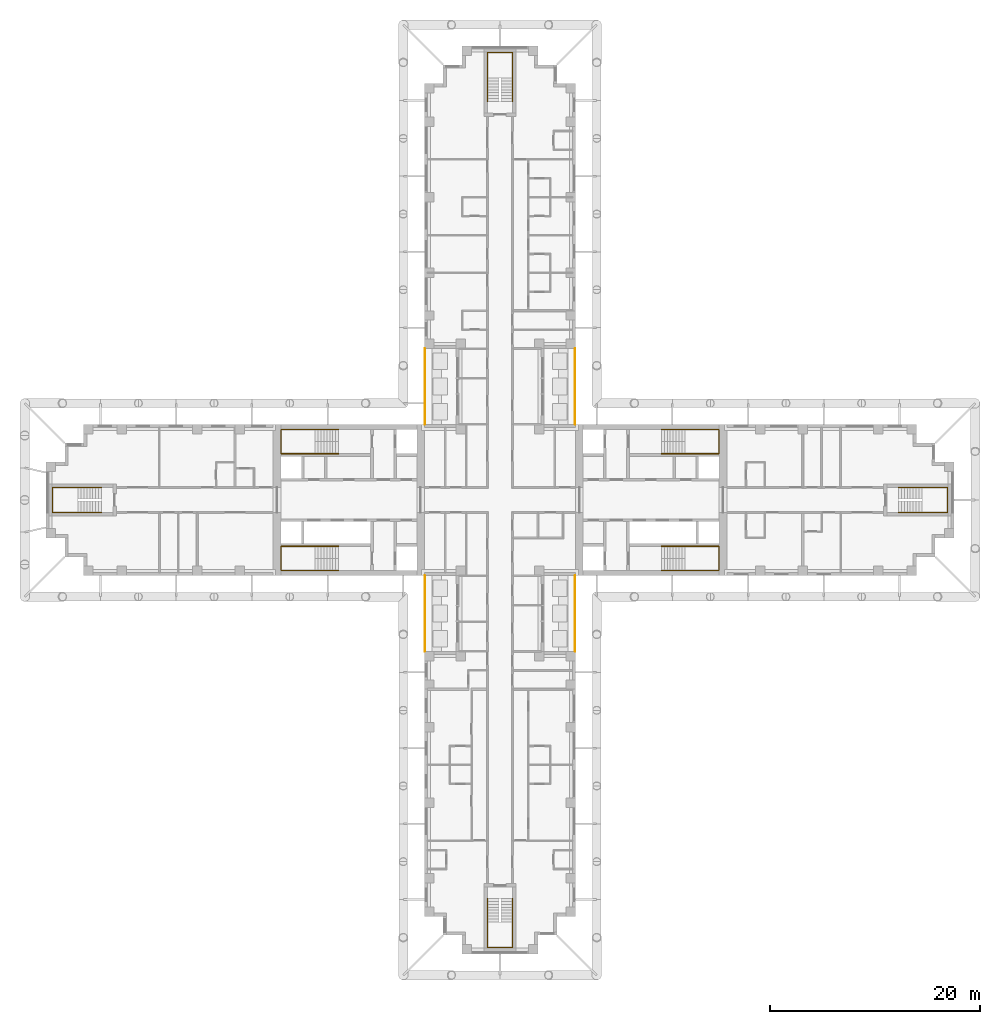
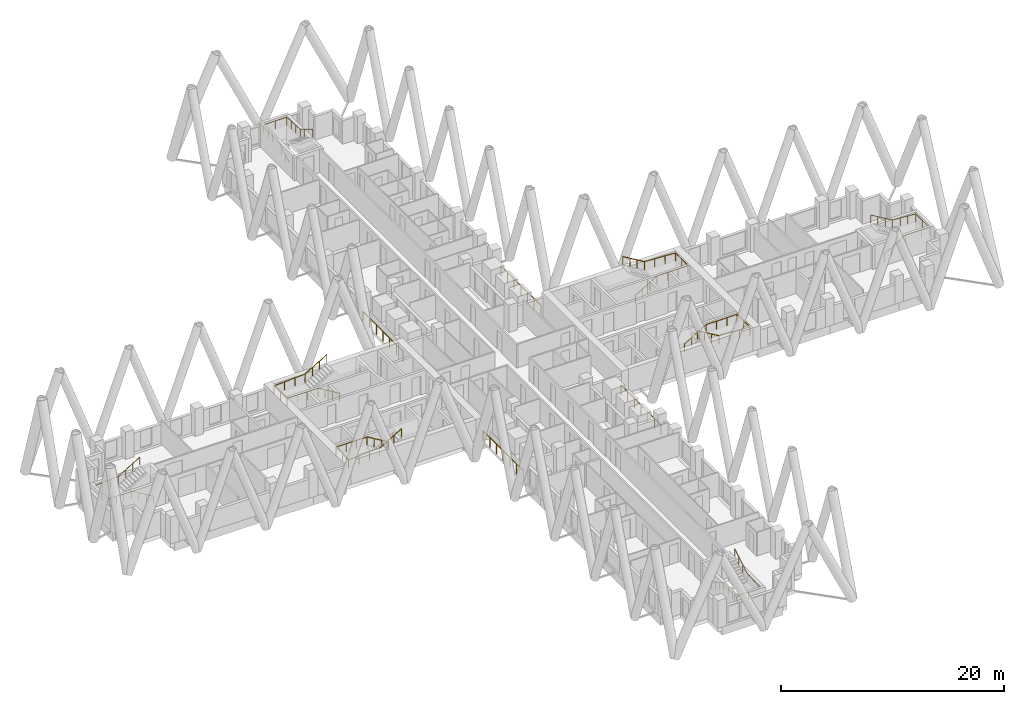
# One storey, part 16 of 17: 12 railings.
"""IFC4 building model written with IfcOpenShell, lengths in metres."""

import ifcopenshell
import ifcopenshell.guid

model = None  # the IFC model being written
_history = None  # IfcOwnerHistory: only IFC2X3 demands one
_inside = {}  # id of a spatial element -> (the spatial element, [elements in it])
_under = {}  # id of a project, library or spatial element -> (it, [spatial elements below it])
_declared = {}  # id of a project -> (the project, [libraries it declares])
_typed = {}  # id of a type object -> (the type object, [elements of that type])
_made_of = {}  # id of a material, layer set ... -> (it, [elements and type objects made of it])


def new_model(schema):
    """Start an empty IFC model of exactly this schema.

    Asked for "IFC4X3", IfcOpenShell would pick the latest addendum, in which some entities
    have other attributes; the version numbers below select the first issue.
    IFC2X3 requires an IfcOwnerHistory on every rooted entity: one is made here for all.
    """
    global model, _history
    if schema == "IFC4X3":
        model = ifcopenshell.file(schema_version=(4, 3, 0, 0))
    else:
        model = ifcopenshell.file(schema=schema)
    _inside.clear()
    _under.clear()
    _declared.clear()
    _typed.clear()
    _made_of.clear()
    _history = None
    if model.schema == "IFC2X3":
        org = make("IfcOrganization", Name="unknown")
        user = make(
            "IfcPersonAndOrganization",
            ThePerson=make("IfcPerson", FamilyName="unknown"),
            TheOrganization=org,
        )
        app = make(
            "IfcApplication",
            ApplicationDeveloper=org,
            Version="unknown",
            ApplicationFullName="unknown",
            ApplicationIdentifier="unknown",
        )
        _history = make(
            "IfcOwnerHistory",
            OwningUser=user,
            OwningApplication=app,
            ChangeAction="ADDED",
            CreationDate=0,
        )
    return model


def make(cls, **values):
    """One entity of the class cls with the attributes given. An attribute that is None is left unset."""
    return model.create_entity(
        cls, **{name: value for name, value in values.items() if value is not None}
    )


def rooted(cls, **values):
    """An entity with a GlobalId (a new one), such as an element, a storey or a relation."""
    return make(cls, GlobalId=ifcopenshell.guid.new(), OwnerHistory=_history, **values)


def si_unit(unit_type, name, prefix=None):
    """IfcSIUnit, for example si_unit("LENGTHUNIT", "METRE", prefix="MILLI")."""
    return make("IfcSIUnit", UnitType=unit_type, Prefix=prefix, Name=name)


def assignment(units):
    """IfcUnitAssignment: the units of a project."""
    return None if units is None else make("IfcUnitAssignment", Units=units)


def point(xyz):
    """IfcCartesianPoint."""
    return None if xyz is None else make("IfcCartesianPoint", Coordinates=xyz)


def direction(xyz):
    """IfcDirection."""
    return None if xyz is None else make("IfcDirection", DirectionRatios=xyz)


def frame(location, z_axis=None, x_axis=None):
    """IfcAxis2Placement3D, a coordinate frame: its origin and axes. An axis left out is left unset."""
    return make(
        "IfcAxis2Placement3D",
        Location=point(location),
        Axis=direction(z_axis),
        RefDirection=direction(x_axis),
    )


def frame_2d(location, x_axis=None):
    """IfcAxis2Placement2D, a coordinate frame in the plane: its origin and x axis."""
    return make(
        "IfcAxis2Placement2D", Location=point(location), RefDirection=direction(x_axis)
    )


def origin():
    """The frame at (0, 0, 0) with its axes left unset."""
    return frame((0.0, 0.0, 0.0))


def origin_2d():
    """The frame at (0, 0) in the plane with its x axis left unset."""
    return frame_2d((0.0, 0.0))


def place(relative_to, where):
    """IfcLocalPlacement: puts the frame where relative to a parent placement (None: the world)."""
    return make(
        "IfcLocalPlacement", PlacementRelTo=relative_to, RelativePlacement=where
    )


def context(
    kind, dimensions, precision=None, world=None, true_north=None, identifier=None
):
    """IfcGeometricRepresentationContext, for example the 3D "Model" context."""
    return make(
        "IfcGeometricRepresentationContext",
        ContextIdentifier=identifier,
        ContextType=kind,
        CoordinateSpaceDimension=dimensions,
        Precision=precision,
        WorldCoordinateSystem=world,
        TrueNorth=true_north,
    )


def subcontext(parent, identifier, kind, view, scale=None):
    """IfcGeometricRepresentationSubContext, for example "Body" below "Model"."""
    return make(
        "IfcGeometricRepresentationSubContext",
        ContextIdentifier=identifier,
        ContextType=kind,
        ParentContext=parent,
        TargetScale=scale,
        TargetView=view,
    )


def project(units=None, contexts=None):
    """IfcProject with its units and contexts."""
    return rooted(
        "IfcProject",
        Name="project",
        RepresentationContexts=contexts,
        UnitsInContext=assignment(units),
    )


def spatial(cls, under=None, at=None, **own):
    """A site, building, storey or space (cls), placed at a placement, below another one or the project."""
    s = rooted(cls, ObjectPlacement=at, **own)
    if under is not None:
        _under.setdefault(under.id(), (under, []))[1].append(s)
    return s


def profile(cls, at=None, kind="AREA", **sizes):
    """A parametric profile (cls). Its sizes go by their IFC names, for example OverallWidth=200.0."""
    return make(cls, ProfileType=kind, Position=at, **sizes)


def circle(**sizes):
    """IfcCircleProfileDef."""
    return profile("IfcCircleProfileDef", **sizes)


def extrude(swept, where, along, depth):
    """IfcExtrudedAreaSolid: the profile swept, set in the frame where, extruded along a direction by depth."""
    return make(
        "IfcExtrudedAreaSolid",
        SweptArea=swept,
        Position=where,
        ExtrudedDirection=direction(along),
        Depth=depth,
    )


def shape(context_of_items, identifier, shape_type, items):
    """IfcShapeRepresentation: the items that make up one representation, for example the "Body"."""
    return make(
        "IfcShapeRepresentation",
        ContextOfItems=context_of_items,
        RepresentationIdentifier=identifier,
        RepresentationType=shape_type,
        Items=items,
    )


def material(Name=None, Category=None):
    """IfcMaterial."""
    return make("IfcMaterial", Name=Name, Category=Category)


def made_of(thing, what):
    """Note that an element or type object is made of a material, layer set ...; save() writes the relation."""
    if what is not None:
        _made_of.setdefault(what.id(), (what, []))[1].append(thing)
    return thing


def type_object(cls, material=None, **own):
    """A type object (cls), such as IfcWallType, which elements share."""
    return made_of(rooted(cls, **own), material)


def element(
    cls,
    number,
    at=None,
    inside=None,
    cuts=None,
    type_object=None,
    material=None,
    context=None,
    identifier="Body",
    shape_type=None,
    held_by="IfcProductDefinitionShape",
    body=None,
    shapes=None,
    **own,
):
    """One element of the class cls, such as IfcWall. Its Tag is "e" and its number.

    at: its placement. inside: the storey or other place that contains it. cuts: it is an
    opening in that element (IfcRelVoidsElement). A single representation is given by context,
    identifier, shape_type and body (its items); several are given by shapes. held_by: the class
    of the entity that holds the representations. save() writes the other relations.
    """
    e = rooted(cls, Tag="e%d" % number, ObjectPlacement=at, **own)
    if body is not None:
        shapes = [shape(context, identifier, shape_type, body)]
    if shapes is not None:
        e.Representation = make(held_by, Representations=shapes)
    if inside is not None:
        _inside.setdefault(inside.id(), (inside, []))[1].append(e)
    if cuts is not None:
        rooted(
            "IfcRelVoidsElement", RelatingBuildingElement=cuts, RelatedOpeningElement=e
        )
    if type_object is not None:
        _typed.setdefault(type_object.id(), (type_object, []))[1].append(e)
    return made_of(e, material)


def aggregate(whole, parts):
    """IfcRelAggregates: a whole, such as a stair, and the parts it consists of."""
    return rooted("IfcRelAggregates", RelatingObject=whole, RelatedObjects=parts)


def save(model, path):
    """Write the relations noted so far, then the file.

    IfcRelAggregates (storeys below a building ...), IfcRelContainedInSpatialStructure (elements
    in a storey), IfcRelDefinesByType, IfcRelAssociatesMaterial and IfcRelDeclares: one each for
    every whole, place, type object, material and project.
    """
    for whole, parts in _under.values():
        aggregate(whole, parts)
    for where, things in _inside.values():
        rooted(
            "IfcRelContainedInSpatialStructure",
            RelatedElements=things,
            RelatingStructure=where,
        )
    for kind, things in _typed.values():
        rooted("IfcRelDefinesByType", RelatedObjects=things, RelatingType=kind)
    for what, things in _made_of.values():
        rooted("IfcRelAssociatesMaterial", RelatedObjects=things, RelatingMaterial=what)
    for by, libraries in _declared.values():
        rooted("IfcRelDeclares", RelatingContext=by, RelatedDefinitions=libraries)
    model.write(path)


model = new_model("IFC4")

# Units and contexts
model_context = context("Model", 3, precision=1e-05, world=origin(), true_north=direction((0.0, 1.0)))
body_context = subcontext(model_context, "Body", "Model", "MODEL_VIEW")
ifc_project = project(units=[si_unit("LENGTHUNIT", "METRE"), si_unit("AREAUNIT", "SQUARE_METRE"), si_unit("VOLUMEUNIT", "CUBIC_METRE"), si_unit("PLANEANGLEUNIT", "RADIAN"), si_unit("MASSUNIT", "GRAM", prefix="KILO")], contexts=[model_context])

# Site, building, storey
site_placement = place(None, origin())
site = spatial("IfcSite", under=ifc_project, at=site_placement, CompositionType="ELEMENT")
building_placement = place(site_placement, origin())
building = spatial("IfcBuilding", under=site, at=building_placement, Name="Fustian Cross Tower", CompositionType="ELEMENT")
storey_placement = place(building_placement, frame((0.0, 0.0, 56.699951171875)))
storey = spatial("IfcBuildingStorey", under=building, at=storey_placement, Name="L17", CompositionType="ELEMENT", Elevation=56.699951171875)

# Railings
ifc_material_1 = material(Name="Stainless steel and glass", Category="steel")
railing_type_1 = type_object("IfcRailingType", Name="GR1 BALCONY GUARD 1100", PredefinedType="GUARDRAIL", material=ifc_material_1)
for number, where, name in (
    (1, (7.14990234375, 7.199951171875, 0.0), "Balcony guard"),
    (2, (-7.14990234375, 7.199951171875, 0.0), "Balcony guard"),
    (3, (7.14990234375, -14.39990234375, 0.0), "Balcony guard"),
    (4, (-7.14990234375, -14.39990234375, 0.0), "Balcony guard"),
):
    element("IfcRailing", number, at=place(storey_placement, frame(where)), inside=storey, type_object=railing_type_1, Name=name, PredefinedType="GUARDRAIL", context=body_context, shape_type="SweptSolid", body=[
        extrude(circle(Radius=0.02392578125, at=origin_2d()), frame((0.0, 0.0, 1.076171875), z_axis=(0.0, 1.0, 0.0), x_axis=(-1.0, 0.0, 0.0)), (0.0, 0.0, 1.0), 7.199951171875),
        extrude(circle(Radius=0.02099609375, at=origin_2d()), origin(), (0.0, 0.0, 1.0), 1.052001953125),
        extrude(circle(Radius=0.02099609375, at=origin_2d()), frame((0.0, 1.199951171875, 0.0)), (0.0, 0.0, 1.0), 1.052001953125),
        extrude(circle(Radius=0.02099609375, at=origin_2d()), frame((0.0, 2.39990234375, 0.0)), (0.0, 0.0, 1.0), 1.052001953125),
        extrude(circle(Radius=0.02099609375, at=origin_2d()), frame((0.0, 3.60009765625, 0.0)), (0.0, 0.0, 1.0), 1.052001953125),
        extrude(circle(Radius=0.02099609375, at=origin_2d()), frame((0.0, 4.800048828125, 0.0)), (0.0, 0.0, 1.0), 1.052001953125),
        extrude(circle(Radius=0.02099609375, at=origin_2d()), frame((0.0, 6.0, 0.0)), (0.0, 0.0, 1.0), 1.052001953125),
        extrude(circle(Radius=0.02099609375, at=origin_2d()), frame((0.0, 7.199951171875, 0.0)), (0.0, 0.0, 1.0), 1.052001953125),
    ])
ifc_material_2 = material(Name="Stainless steel", Category="steel")
railing_type_2 = type_object("IfcRailingType", Name="STAIR HANDRAIL", PredefinedType="HANDRAIL", material=ifc_material_2)
railing_1_placement = place(storey_placement, frame((15.35009765625, 4.39990234375, 0.166748046875)))
element("IfcRailing", 5, at=railing_1_placement, inside=storey, type_object=railing_type_2, Name="Stair ST1 handrail 1", PredefinedType="HANDRAIL", context=body_context, shape_type="SweptSolid", body=[
    extrude(circle(Radius=0.02490234375, at=origin_2d()), frame((0.0, 0.0, 0.875), z_axis=(0.859305625298, 0.0, 0.511462454469), x_axis=(0.0, 1.0, 0.0)), (0.0, 0.0, 1.0), 2.606689453125),
    extrude(circle(Radius=0.02490234375, at=origin_2d()), frame((2.239990234375, 0.0, 2.2080078125), z_axis=(1.0, 0.0, 0.0), x_axis=(0.0, 1.0, 0.0)), (0.0, 0.0, 1.0), 3.219970703125),
    extrude(circle(Radius=0.02490234375, at=origin_2d()), frame((5.4599609375, 0.0, 2.2080078125), z_axis=(0.0, 1.0, 0.0), x_axis=(-1.0, 0.0, 0.0)), (0.0, 0.0, 1.0), 2.300048828125),
    extrude(circle(Radius=0.02490234375, at=origin_2d()), frame((5.4599609375, 2.300048828125, 2.2080078125), z_axis=(-0.998661817807, 0.0, 0.051716280352), x_axis=(0.0, -1.0, 0.0)), (0.0, 0.0, 1.0), 3.224365234375),
    extrude(circle(Radius=0.02490234375, at=origin_2d()), frame((2.239990234375, 2.300048828125, 2.375), z_axis=(-0.859305625298, 0.0, 0.511462454469), x_axis=(0.0, -1.0, 0.0)), (0.0, 0.0, 1.0), 2.606689453125),
    extrude(circle(Radius=0.02001953125, at=origin_2d()), origin(), (0.0, 0.0, 1.0), 0.849853515625),
    extrude(circle(Radius=0.02001953125, at=origin_2d()), frame((0.74658203125, 0.0, 0.4443359375)), (0.0, 0.0, 1.0), 0.849853515625),
    extrude(circle(Radius=0.02001953125, at=origin_2d()), frame((1.493408203125, 0.0, 0.888916015625)), (0.0, 0.0, 1.0), 0.849853515625),
    extrude(circle(Radius=0.02001953125, at=origin_2d()), frame((2.239990234375, 0.0, 1.333251953125)), (0.0, 0.0, 1.0), 0.849853515625),
    extrude(circle(Radius=0.02001953125, at=origin_2d()), frame((3.313232421875, 0.0, 1.333251953125)), (0.0, 0.0, 1.0), 0.849853515625),
    extrude(circle(Radius=0.02001953125, at=origin_2d()), frame((4.38671875, 0.0, 1.333251953125)), (0.0, 0.0, 1.0), 0.849853515625),
    extrude(circle(Radius=0.02001953125, at=origin_2d()), frame((5.4599609375, 0.0, 1.333251953125)), (0.0, 0.0, 1.0), 0.849853515625),
    extrude(circle(Radius=0.02001953125, at=origin_2d()), frame((5.4599609375, 1.14990234375, 1.333251953125)), (0.0, 0.0, 1.0), 0.849853515625),
    extrude(circle(Radius=0.02001953125, at=origin_2d()), frame((5.4599609375, 2.300048828125, 1.333251953125)), (0.0, 0.0, 1.0), 0.849853515625),
    extrude(circle(Radius=0.02001953125, at=origin_2d()), frame((4.38671875, 2.300048828125, 1.388916015625)), (0.0, 0.0, 1.0), 0.849853515625),
    extrude(circle(Radius=0.02001953125, at=origin_2d()), frame((3.313232421875, 2.300048828125, 1.4443359375)), (0.0, 0.0, 1.0), 0.849853515625),
    extrude(circle(Radius=0.02001953125, at=origin_2d()), frame((2.239990234375, 2.300048828125, 1.5)), (0.0, 0.0, 1.0), 0.849853515625),
    extrude(circle(Radius=0.02001953125, at=origin_2d()), frame((1.493408203125, 2.300048828125, 1.9443359375)), (0.0, 0.0, 1.0), 0.849853515625),
    extrude(circle(Radius=0.02001953125, at=origin_2d()), frame((0.74658203125, 2.300048828125, 2.388916015625)), (0.0, 0.0, 1.0), 0.849853515625),
    extrude(circle(Radius=0.02001953125, at=origin_2d()), frame((0.0, 2.300048828125, 2.833251953125)), (0.0, 0.0, 1.0), 0.849853515625),
])
railing_2_placement = place(storey_placement, frame((15.35009765625, -4.39990234375, 0.166748046875)))
element("IfcRailing", 6, at=railing_2_placement, inside=storey, type_object=railing_type_2, Name="Stair ST2 handrail 1", PredefinedType="HANDRAIL", context=body_context, shape_type="SweptSolid", body=[
    extrude(circle(Radius=0.02490234375, at=origin_2d()), frame((0.0, 0.0, 0.875), z_axis=(0.859305625298, 0.0, 0.511462454469), x_axis=(0.0, 1.0, 0.0)), (0.0, 0.0, 1.0), 2.606689453125),
    extrude(circle(Radius=0.02490234375, at=origin_2d()), frame((2.239990234375, 0.0, 2.2080078125), z_axis=(1.0, 0.0, 0.0), x_axis=(0.0, 1.0, 0.0)), (0.0, 0.0, 1.0), 3.219970703125),
    extrude(circle(Radius=0.02490234375, at=origin_2d()), frame((5.4599609375, 0.0, 2.2080078125), z_axis=(0.0, -1.0, 0.0), x_axis=(1.0, 0.0, 0.0)), (0.0, 0.0, 1.0), 2.300048828125),
    extrude(circle(Radius=0.02490234375, at=origin_2d()), frame((5.4599609375, -2.300048828125, 2.2080078125), z_axis=(-0.998661817807, 0.0, 0.051716280352), x_axis=(0.0, -1.0, 0.0)), (0.0, 0.0, 1.0), 3.224365234375),
    extrude(circle(Radius=0.02490234375, at=origin_2d()), frame((2.239990234375, -2.300048828125, 2.375), z_axis=(-0.859305625298, 0.0, 0.511462454469), x_axis=(0.0, -1.0, 0.0)), (0.0, 0.0, 1.0), 2.606689453125),
    extrude(circle(Radius=0.02001953125, at=origin_2d()), origin(), (0.0, 0.0, 1.0), 0.849853515625),
    extrude(circle(Radius=0.02001953125, at=origin_2d()), frame((0.74658203125, 0.0, 0.4443359375)), (0.0, 0.0, 1.0), 0.849853515625),
    extrude(circle(Radius=0.02001953125, at=origin_2d()), frame((1.493408203125, 0.0, 0.888916015625)), (0.0, 0.0, 1.0), 0.849853515625),
    extrude(circle(Radius=0.02001953125, at=origin_2d()), frame((2.239990234375, 0.0, 1.333251953125)), (0.0, 0.0, 1.0), 0.849853515625),
    extrude(circle(Radius=0.02001953125, at=origin_2d()), frame((3.313232421875, 0.0, 1.333251953125)), (0.0, 0.0, 1.0), 0.849853515625),
    extrude(circle(Radius=0.02001953125, at=origin_2d()), frame((4.38671875, 0.0, 1.333251953125)), (0.0, 0.0, 1.0), 0.849853515625),
    extrude(circle(Radius=0.02001953125, at=origin_2d()), frame((5.4599609375, 0.0, 1.333251953125)), (0.0, 0.0, 1.0), 0.849853515625),
    extrude(circle(Radius=0.02001953125, at=origin_2d()), frame((5.4599609375, -1.14990234375, 1.333251953125)), (0.0, 0.0, 1.0), 0.849853515625),
    extrude(circle(Radius=0.02001953125, at=origin_2d()), frame((5.4599609375, -2.300048828125, 1.333251953125)), (0.0, 0.0, 1.0), 0.849853515625),
    extrude(circle(Radius=0.02001953125, at=origin_2d()), frame((4.38671875, -2.300048828125, 1.388916015625)), (0.0, 0.0, 1.0), 0.849853515625),
    extrude(circle(Radius=0.02001953125, at=origin_2d()), frame((3.313232421875, -2.300048828125, 1.4443359375)), (0.0, 0.0, 1.0), 0.849853515625),
    extrude(circle(Radius=0.02001953125, at=origin_2d()), frame((2.239990234375, -2.300048828125, 1.5)), (0.0, 0.0, 1.0), 0.849853515625),
    extrude(circle(Radius=0.02001953125, at=origin_2d()), frame((1.493408203125, -2.300048828125, 1.9443359375)), (0.0, 0.0, 1.0), 0.849853515625),
    extrude(circle(Radius=0.02001953125, at=origin_2d()), frame((0.74658203125, -2.300048828125, 2.388916015625)), (0.0, 0.0, 1.0), 0.849853515625),
    extrude(circle(Radius=0.02001953125, at=origin_2d()), frame((0.0, -2.300048828125, 2.833251953125)), (0.0, 0.0, 1.0), 0.849853515625),
])
railing_3_placement = place(storey_placement, frame((-15.35009765625, 4.39990234375, 0.166748046875)))
element("IfcRailing", 7, at=railing_3_placement, inside=storey, type_object=railing_type_2, Name="Stair ST3 handrail 1", PredefinedType="HANDRAIL", context=body_context, shape_type="SweptSolid", body=[
    extrude(circle(Radius=0.02490234375, at=origin_2d()), frame((0.0, 0.0, 0.875), z_axis=(-0.859305625298, 0.0, 0.511462454469), x_axis=(0.0, -1.0, 0.0)), (0.0, 0.0, 1.0), 2.606689453125),
    extrude(circle(Radius=0.02490234375, at=origin_2d()), frame((-2.239990234375, 0.0, 2.2080078125), z_axis=(-1.0, 0.0, 0.0), x_axis=(0.0, -1.0, 0.0)), (0.0, 0.0, 1.0), 3.219970703125),
    extrude(circle(Radius=0.02490234375, at=origin_2d()), frame((-5.4599609375, 0.0, 2.2080078125), z_axis=(0.0, 1.0, 0.0), x_axis=(-1.0, 0.0, 0.0)), (0.0, 0.0, 1.0), 2.300048828125),
    extrude(circle(Radius=0.02490234375, at=origin_2d()), frame((-5.4599609375, 2.300048828125, 2.2080078125), z_axis=(0.998661817807, 0.0, 0.051716280352), x_axis=(0.0, 1.0, 0.0)), (0.0, 0.0, 1.0), 3.224365234375),
    extrude(circle(Radius=0.02490234375, at=origin_2d()), frame((-2.239990234375, 2.300048828125, 2.375), z_axis=(0.859305625298, 0.0, 0.511462454469), x_axis=(0.0, 1.0, 0.0)), (0.0, 0.0, 1.0), 2.606689453125),
    extrude(circle(Radius=0.02001953125, at=origin_2d()), origin(), (0.0, 0.0, 1.0), 0.849853515625),
    extrude(circle(Radius=0.02001953125, at=origin_2d()), frame((-0.74658203125, 0.0, 0.4443359375)), (0.0, 0.0, 1.0), 0.849853515625),
    extrude(circle(Radius=0.02001953125, at=origin_2d()), frame((-1.493408203125, 0.0, 0.888916015625)), (0.0, 0.0, 1.0), 0.849853515625),
    extrude(circle(Radius=0.02001953125, at=origin_2d()), frame((-2.239990234375, 0.0, 1.333251953125)), (0.0, 0.0, 1.0), 0.849853515625),
    extrude(circle(Radius=0.02001953125, at=origin_2d()), frame((-3.313232421875, 0.0, 1.333251953125)), (0.0, 0.0, 1.0), 0.849853515625),
    extrude(circle(Radius=0.02001953125, at=origin_2d()), frame((-4.38671875, 0.0, 1.333251953125)), (0.0, 0.0, 1.0), 0.849853515625),
    extrude(circle(Radius=0.02001953125, at=origin_2d()), frame((-5.4599609375, 0.0, 1.333251953125)), (0.0, 0.0, 1.0), 0.849853515625),
    extrude(circle(Radius=0.02001953125, at=origin_2d()), frame((-5.4599609375, 1.14990234375, 1.333251953125)), (0.0, 0.0, 1.0), 0.849853515625),
    extrude(circle(Radius=0.02001953125, at=origin_2d()), frame((-5.4599609375, 2.300048828125, 1.333251953125)), (0.0, 0.0, 1.0), 0.849853515625),
    extrude(circle(Radius=0.02001953125, at=origin_2d()), frame((-4.38671875, 2.300048828125, 1.388916015625)), (0.0, 0.0, 1.0), 0.849853515625),
    extrude(circle(Radius=0.02001953125, at=origin_2d()), frame((-3.313232421875, 2.300048828125, 1.4443359375)), (0.0, 0.0, 1.0), 0.849853515625),
    extrude(circle(Radius=0.02001953125, at=origin_2d()), frame((-2.239990234375, 2.300048828125, 1.5)), (0.0, 0.0, 1.0), 0.849853515625),
    extrude(circle(Radius=0.02001953125, at=origin_2d()), frame((-1.493408203125, 2.300048828125, 1.9443359375)), (0.0, 0.0, 1.0), 0.849853515625),
    extrude(circle(Radius=0.02001953125, at=origin_2d()), frame((-0.74658203125, 2.300048828125, 2.388916015625)), (0.0, 0.0, 1.0), 0.849853515625),
    extrude(circle(Radius=0.02001953125, at=origin_2d()), frame((0.0, 2.300048828125, 2.833251953125)), (0.0, 0.0, 1.0), 0.849853515625),
])
railing_4_placement = place(storey_placement, frame((-15.35009765625, -4.39990234375, 0.166748046875)))
element("IfcRailing", 8, at=railing_4_placement, inside=storey, type_object=railing_type_2, Name="Stair ST4 handrail 1", PredefinedType="HANDRAIL", context=body_context, shape_type="SweptSolid", body=[
    extrude(circle(Radius=0.02490234375, at=origin_2d()), frame((0.0, 0.0, 0.875), z_axis=(-0.859305625298, 0.0, 0.511462454469), x_axis=(0.0, -1.0, 0.0)), (0.0, 0.0, 1.0), 2.606689453125),
    extrude(circle(Radius=0.02490234375, at=origin_2d()), frame((-2.239990234375, 0.0, 2.2080078125), z_axis=(-1.0, 0.0, 0.0), x_axis=(0.0, -1.0, 0.0)), (0.0, 0.0, 1.0), 3.219970703125),
    extrude(circle(Radius=0.02490234375, at=origin_2d()), frame((-5.4599609375, 0.0, 2.2080078125), z_axis=(0.0, -1.0, 0.0), x_axis=(1.0, 0.0, 0.0)), (0.0, 0.0, 1.0), 2.300048828125),
    extrude(circle(Radius=0.02490234375, at=origin_2d()), frame((-5.4599609375, -2.300048828125, 2.2080078125), z_axis=(0.998661817807, 0.0, 0.051716280352), x_axis=(0.0, 1.0, 0.0)), (0.0, 0.0, 1.0), 3.224365234375),
    extrude(circle(Radius=0.02490234375, at=origin_2d()), frame((-2.239990234375, -2.300048828125, 2.375), z_axis=(0.859305625298, 0.0, 0.511462454469), x_axis=(0.0, 1.0, 0.0)), (0.0, 0.0, 1.0), 2.606689453125),
    extrude(circle(Radius=0.02001953125, at=origin_2d()), origin(), (0.0, 0.0, 1.0), 0.849853515625),
    extrude(circle(Radius=0.02001953125, at=origin_2d()), frame((-0.74658203125, 0.0, 0.4443359375)), (0.0, 0.0, 1.0), 0.849853515625),
    extrude(circle(Radius=0.02001953125, at=origin_2d()), frame((-1.493408203125, 0.0, 0.888916015625)), (0.0, 0.0, 1.0), 0.849853515625),
    extrude(circle(Radius=0.02001953125, at=origin_2d()), frame((-2.239990234375, 0.0, 1.333251953125)), (0.0, 0.0, 1.0), 0.849853515625),
    extrude(circle(Radius=0.02001953125, at=origin_2d()), frame((-3.313232421875, 0.0, 1.333251953125)), (0.0, 0.0, 1.0), 0.849853515625),
    extrude(circle(Radius=0.02001953125, at=origin_2d()), frame((-4.38671875, 0.0, 1.333251953125)), (0.0, 0.0, 1.0), 0.849853515625),
    extrude(circle(Radius=0.02001953125, at=origin_2d()), frame((-5.4599609375, 0.0, 1.333251953125)), (0.0, 0.0, 1.0), 0.849853515625),
    extrude(circle(Radius=0.02001953125, at=origin_2d()), frame((-5.4599609375, -1.14990234375, 1.333251953125)), (0.0, 0.0, 1.0), 0.849853515625),
    extrude(circle(Radius=0.02001953125, at=origin_2d()), frame((-5.4599609375, -2.300048828125, 1.333251953125)), (0.0, 0.0, 1.0), 0.849853515625),
    extrude(circle(Radius=0.02001953125, at=origin_2d()), frame((-4.38671875, -2.300048828125, 1.388916015625)), (0.0, 0.0, 1.0), 0.849853515625),
    extrude(circle(Radius=0.02001953125, at=origin_2d()), frame((-3.313232421875, -2.300048828125, 1.4443359375)), (0.0, 0.0, 1.0), 0.849853515625),
    extrude(circle(Radius=0.02001953125, at=origin_2d()), frame((-2.239990234375, -2.300048828125, 1.5)), (0.0, 0.0, 1.0), 0.849853515625),
    extrude(circle(Radius=0.02001953125, at=origin_2d()), frame((-1.493408203125, -2.300048828125, 1.9443359375)), (0.0, 0.0, 1.0), 0.849853515625),
    extrude(circle(Radius=0.02001953125, at=origin_2d()), frame((-0.74658203125, -2.300048828125, 2.388916015625)), (0.0, 0.0, 1.0), 0.849853515625),
    extrude(circle(Radius=0.02001953125, at=origin_2d()), frame((0.0, -2.300048828125, 2.833251953125)), (0.0, 0.0, 1.0), 0.849853515625),
])
railing_5_placement = place(storey_placement, frame((-1.199951171875, 37.89990234375, 0.166748046875)))
element("IfcRailing", 9, at=railing_5_placement, inside=storey, type_object=railing_type_2, Name="Stair ST5 handrail 1", PredefinedType="HANDRAIL", context=body_context, shape_type="SweptSolid", body=[
    extrude(circle(Radius=0.02490234375, at=origin_2d()), frame((0.0, 0.0, 0.875), z_axis=(0.0, 0.859305625298, 0.511462454469), x_axis=(-1.0, 0.0, 0.0)), (0.0, 0.0, 1.0), 2.606689453125),
    extrude(circle(Radius=0.02490234375, at=origin_2d()), frame((0.0, 2.239990234375, 2.2080078125), z_axis=(0.0, 1.0, 0.0), x_axis=(-1.0, 0.0, 0.0)), (0.0, 0.0, 1.0), 2.420166015625),
    extrude(circle(Radius=0.02490234375, at=origin_2d()), frame((0.0, 4.66015625, 2.2080078125), z_axis=(1.0, 0.0, 0.0), x_axis=(0.0, 1.0, 0.0)), (0.0, 0.0, 1.0), 2.39990234375),
    extrude(circle(Radius=0.02490234375, at=origin_2d()), frame((2.39990234375, 4.66015625, 2.2080078125), z_axis=(0.0, -0.997634852044, 0.068736467663), x_axis=(1.0, 0.0, 0.0)), (0.0, 0.0, 1.0), 2.426025390625),
    extrude(circle(Radius=0.02490234375, at=origin_2d()), frame((2.39990234375, 2.239990234375, 2.375), z_axis=(0.0, -0.859305625298, 0.511462454469), x_axis=(1.0, 0.0, 0.0)), (0.0, 0.0, 1.0), 2.606689453125),
    extrude(circle(Radius=0.02001953125, at=origin_2d()), origin(), (0.0, 0.0, 1.0), 0.849853515625),
    extrude(circle(Radius=0.02001953125, at=origin_2d()), frame((0.0, 0.74658203125, 0.4443359375)), (0.0, 0.0, 1.0), 0.849853515625),
    extrude(circle(Radius=0.02001953125, at=origin_2d()), frame((0.0, 1.493408203125, 0.888916015625)), (0.0, 0.0, 1.0), 0.849853515625),
    extrude(circle(Radius=0.02001953125, at=origin_2d()), frame((0.0, 2.239990234375, 1.333251953125)), (0.0, 0.0, 1.0), 0.849853515625),
    extrude(circle(Radius=0.02001953125, at=origin_2d()), frame((0.0, 3.046630859375, 1.333251953125)), (0.0, 0.0, 1.0), 0.849853515625),
    extrude(circle(Radius=0.02001953125, at=origin_2d()), frame((0.0, 3.853515625, 1.333251953125)), (0.0, 0.0, 1.0), 0.849853515625),
    extrude(circle(Radius=0.02001953125, at=origin_2d()), frame((0.0, 4.66015625, 1.333251953125)), (0.0, 0.0, 1.0), 0.849853515625),
    extrude(circle(Radius=0.02001953125, at=origin_2d()), frame((1.199951171875, 4.66015625, 1.333251953125)), (0.0, 0.0, 1.0), 0.849853515625),
    extrude(circle(Radius=0.02001953125, at=origin_2d()), frame((2.39990234375, 4.66015625, 1.333251953125)), (0.0, 0.0, 1.0), 0.849853515625),
    extrude(circle(Radius=0.02001953125, at=origin_2d()), frame((2.39990234375, 3.853515625, 1.388916015625)), (0.0, 0.0, 1.0), 0.849853515625),
    extrude(circle(Radius=0.02001953125, at=origin_2d()), frame((2.39990234375, 3.046630859375, 1.4443359375)), (0.0, 0.0, 1.0), 0.849853515625),
    extrude(circle(Radius=0.02001953125, at=origin_2d()), frame((2.39990234375, 2.239990234375, 1.5)), (0.0, 0.0, 1.0), 0.849853515625),
    extrude(circle(Radius=0.02001953125, at=origin_2d()), frame((2.39990234375, 1.493408203125, 1.9443359375)), (0.0, 0.0, 1.0), 0.849853515625),
    extrude(circle(Radius=0.02001953125, at=origin_2d()), frame((2.39990234375, 0.74658203125, 2.388916015625)), (0.0, 0.0, 1.0), 0.849853515625),
    extrude(circle(Radius=0.02001953125, at=origin_2d()), frame((2.39990234375, 0.0, 2.833251953125)), (0.0, 0.0, 1.0), 0.849853515625),
])
railing_6_placement = place(storey_placement, frame((-1.199951171875, -37.89990234375, 0.166748046875)))
element("IfcRailing", 10, at=railing_6_placement, inside=storey, type_object=railing_type_2, Name="Stair ST6 handrail 1", PredefinedType="HANDRAIL", context=body_context, shape_type="SweptSolid", body=[
    extrude(circle(Radius=0.02490234375, at=origin_2d()), frame((0.0, 0.0, 0.875), z_axis=(0.0, -0.859305625298, 0.511462454469), x_axis=(1.0, 0.0, 0.0)), (0.0, 0.0, 1.0), 2.606689453125),
    extrude(circle(Radius=0.02490234375, at=origin_2d()), frame((0.0, -2.239990234375, 2.2080078125), z_axis=(0.0, -1.0, 0.0), x_axis=(1.0, 0.0, 0.0)), (0.0, 0.0, 1.0), 2.420166015625),
    extrude(circle(Radius=0.02490234375, at=origin_2d()), frame((0.0, -4.66015625, 2.2080078125), z_axis=(1.0, 0.0, 0.0), x_axis=(0.0, 1.0, 0.0)), (0.0, 0.0, 1.0), 2.39990234375),
    extrude(circle(Radius=0.02490234375, at=origin_2d()), frame((2.39990234375, -4.66015625, 2.2080078125), z_axis=(0.0, 0.997634852044, 0.068736467663), x_axis=(-1.0, 0.0, 0.0)), (0.0, 0.0, 1.0), 2.426025390625),
    extrude(circle(Radius=0.02490234375, at=origin_2d()), frame((2.39990234375, -2.239990234375, 2.375), z_axis=(0.0, 0.859305625298, 0.511462454469), x_axis=(-1.0, 0.0, 0.0)), (0.0, 0.0, 1.0), 2.606689453125),
    extrude(circle(Radius=0.02001953125, at=origin_2d()), origin(), (0.0, 0.0, 1.0), 0.849853515625),
    extrude(circle(Radius=0.02001953125, at=origin_2d()), frame((0.0, -0.74658203125, 0.4443359375)), (0.0, 0.0, 1.0), 0.849853515625),
    extrude(circle(Radius=0.02001953125, at=origin_2d()), frame((0.0, -1.493408203125, 0.888916015625)), (0.0, 0.0, 1.0), 0.849853515625),
    extrude(circle(Radius=0.02001953125, at=origin_2d()), frame((0.0, -2.239990234375, 1.333251953125)), (0.0, 0.0, 1.0), 0.849853515625),
    extrude(circle(Radius=0.02001953125, at=origin_2d()), frame((0.0, -3.046630859375, 1.333251953125)), (0.0, 0.0, 1.0), 0.849853515625),
    extrude(circle(Radius=0.02001953125, at=origin_2d()), frame((0.0, -3.853515625, 1.333251953125)), (0.0, 0.0, 1.0), 0.849853515625),
    extrude(circle(Radius=0.02001953125, at=origin_2d()), frame((0.0, -4.66015625, 1.333251953125)), (0.0, 0.0, 1.0), 0.849853515625),
    extrude(circle(Radius=0.02001953125, at=origin_2d()), frame((1.199951171875, -4.66015625, 1.333251953125)), (0.0, 0.0, 1.0), 0.849853515625),
    extrude(circle(Radius=0.02001953125, at=origin_2d()), frame((2.39990234375, -4.66015625, 1.333251953125)), (0.0, 0.0, 1.0), 0.849853515625),
    extrude(circle(Radius=0.02001953125, at=origin_2d()), frame((2.39990234375, -3.853515625, 1.388916015625)), (0.0, 0.0, 1.0), 0.849853515625),
    extrude(circle(Radius=0.02001953125, at=origin_2d()), frame((2.39990234375, -3.046630859375, 1.4443359375)), (0.0, 0.0, 1.0), 0.849853515625),
    extrude(circle(Radius=0.02001953125, at=origin_2d()), frame((2.39990234375, -2.239990234375, 1.5)), (0.0, 0.0, 1.0), 0.849853515625),
    extrude(circle(Radius=0.02001953125, at=origin_2d()), frame((2.39990234375, -1.493408203125, 1.9443359375)), (0.0, 0.0, 1.0), 0.849853515625),
    extrude(circle(Radius=0.02001953125, at=origin_2d()), frame((2.39990234375, -0.74658203125, 2.388916015625)), (0.0, 0.0, 1.0), 0.849853515625),
    extrude(circle(Radius=0.02001953125, at=origin_2d()), frame((2.39990234375, 0.0, 2.833251953125)), (0.0, 0.0, 1.0), 0.849853515625),
])
railing_7_placement = place(storey_placement, frame((37.89990234375, -1.199951171875, 0.166748046875)))
element("IfcRailing", 11, at=railing_7_placement, inside=storey, type_object=railing_type_2, Name="Stair ST8 handrail 1", PredefinedType="HANDRAIL", context=body_context, shape_type="SweptSolid", body=[
    extrude(circle(Radius=0.02490234375, at=origin_2d()), frame((0.0, 0.0, 0.875), z_axis=(0.859305625298, 0.0, 0.511462454469), x_axis=(0.0, 1.0, 0.0)), (0.0, 0.0, 1.0), 2.606689453125),
    extrude(circle(Radius=0.02490234375, at=origin_2d()), frame((2.239990234375, 0.0, 2.2080078125), z_axis=(1.0, 0.0, 0.0), x_axis=(0.0, 1.0, 0.0)), (0.0, 0.0, 1.0), 2.420166015625),
    extrude(circle(Radius=0.02490234375, at=origin_2d()), frame((4.66015625, 0.0, 2.2080078125), z_axis=(0.0, 1.0, 0.0), x_axis=(-1.0, 0.0, 0.0)), (0.0, 0.0, 1.0), 2.39990234375),
    extrude(circle(Radius=0.02490234375, at=origin_2d()), frame((4.66015625, 2.39990234375, 2.2080078125), z_axis=(-0.997634852044, 0.0, 0.068736467663), x_axis=(0.0, -1.0, 0.0)), (0.0, 0.0, 1.0), 2.426025390625),
    extrude(circle(Radius=0.02490234375, at=origin_2d()), frame((2.239990234375, 2.39990234375, 2.375), z_axis=(-0.859305625298, 0.0, 0.511462454469), x_axis=(0.0, -1.0, 0.0)), (0.0, 0.0, 1.0), 2.606689453125),
    extrude(circle(Radius=0.02001953125, at=origin_2d()), origin(), (0.0, 0.0, 1.0), 0.849853515625),
    extrude(circle(Radius=0.02001953125, at=origin_2d()), frame((0.74658203125, 0.0, 0.4443359375)), (0.0, 0.0, 1.0), 0.849853515625),
    extrude(circle(Radius=0.02001953125, at=origin_2d()), frame((1.493408203125, 0.0, 0.888916015625)), (0.0, 0.0, 1.0), 0.849853515625),
    extrude(circle(Radius=0.02001953125, at=origin_2d()), frame((2.239990234375, 0.0, 1.333251953125)), (0.0, 0.0, 1.0), 0.849853515625),
    extrude(circle(Radius=0.02001953125, at=origin_2d()), frame((3.046630859375, 0.0, 1.333251953125)), (0.0, 0.0, 1.0), 0.849853515625),
    extrude(circle(Radius=0.02001953125, at=origin_2d()), frame((3.853515625, 0.0, 1.333251953125)), (0.0, 0.0, 1.0), 0.849853515625),
    extrude(circle(Radius=0.02001953125, at=origin_2d()), frame((4.66015625, 0.0, 1.333251953125)), (0.0, 0.0, 1.0), 0.849853515625),
    extrude(circle(Radius=0.02001953125, at=origin_2d()), frame((4.66015625, 1.199951171875, 1.333251953125)), (0.0, 0.0, 1.0), 0.849853515625),
    extrude(circle(Radius=0.02001953125, at=origin_2d()), frame((4.66015625, 2.39990234375, 1.333251953125)), (0.0, 0.0, 1.0), 0.849853515625),
    extrude(circle(Radius=0.02001953125, at=origin_2d()), frame((3.853515625, 2.39990234375, 1.388916015625)), (0.0, 0.0, 1.0), 0.849853515625),
    extrude(circle(Radius=0.02001953125, at=origin_2d()), frame((3.046630859375, 2.39990234375, 1.4443359375)), (0.0, 0.0, 1.0), 0.849853515625),
    extrude(circle(Radius=0.02001953125, at=origin_2d()), frame((2.239990234375, 2.39990234375, 1.5)), (0.0, 0.0, 1.0), 0.849853515625),
    extrude(circle(Radius=0.02001953125, at=origin_2d()), frame((1.493408203125, 2.39990234375, 1.9443359375)), (0.0, 0.0, 1.0), 0.849853515625),
    extrude(circle(Radius=0.02001953125, at=origin_2d()), frame((0.74658203125, 2.39990234375, 2.388916015625)), (0.0, 0.0, 1.0), 0.849853515625),
    extrude(circle(Radius=0.02001953125, at=origin_2d()), frame((0.0, 2.39990234375, 2.833251953125)), (0.0, 0.0, 1.0), 0.849853515625),
])
railing_8_placement = place(storey_placement, frame((-37.89990234375, -1.199951171875, 0.166748046875)))
element("IfcRailing", 12, at=railing_8_placement, inside=storey, type_object=railing_type_2, Name="Stair ST9 handrail 1", PredefinedType="HANDRAIL", context=body_context, shape_type="SweptSolid", body=[
    extrude(circle(Radius=0.02490234375, at=origin_2d()), frame((0.0, 0.0, 0.875), z_axis=(-0.859305625298, 0.0, 0.511462454469), x_axis=(0.0, -1.0, 0.0)), (0.0, 0.0, 1.0), 2.606689453125),
    extrude(circle(Radius=0.02490234375, at=origin_2d()), frame((-2.239990234375, 0.0, 2.2080078125), z_axis=(-1.0, 0.0, 0.0), x_axis=(0.0, -1.0, 0.0)), (0.0, 0.0, 1.0), 2.420166015625),
    extrude(circle(Radius=0.02490234375, at=origin_2d()), frame((-4.66015625, 0.0, 2.2080078125), z_axis=(0.0, 1.0, 0.0), x_axis=(-1.0, 0.0, 0.0)), (0.0, 0.0, 1.0), 2.39990234375),
    extrude(circle(Radius=0.02490234375, at=origin_2d()), frame((-4.66015625, 2.39990234375, 2.2080078125), z_axis=(0.997634852044, 0.0, 0.068736467663), x_axis=(0.0, 1.0, 0.0)), (0.0, 0.0, 1.0), 2.426025390625),
    extrude(circle(Radius=0.02490234375, at=origin_2d()), frame((-2.239990234375, 2.39990234375, 2.375), z_axis=(0.859305625298, 0.0, 0.511462454469), x_axis=(0.0, 1.0, 0.0)), (0.0, 0.0, 1.0), 2.606689453125),
    extrude(circle(Radius=0.02001953125, at=origin_2d()), origin(), (0.0, 0.0, 1.0), 0.849853515625),
    extrude(circle(Radius=0.02001953125, at=origin_2d()), frame((-0.74658203125, 0.0, 0.4443359375)), (0.0, 0.0, 1.0), 0.849853515625),
    extrude(circle(Radius=0.02001953125, at=origin_2d()), frame((-1.493408203125, 0.0, 0.888916015625)), (0.0, 0.0, 1.0), 0.849853515625),
    extrude(circle(Radius=0.02001953125, at=origin_2d()), frame((-2.239990234375, 0.0, 1.333251953125)), (0.0, 0.0, 1.0), 0.849853515625),
    extrude(circle(Radius=0.02001953125, at=origin_2d()), frame((-3.046630859375, 0.0, 1.333251953125)), (0.0, 0.0, 1.0), 0.849853515625),
    extrude(circle(Radius=0.02001953125, at=origin_2d()), frame((-3.853515625, 0.0, 1.333251953125)), (0.0, 0.0, 1.0), 0.849853515625),
    extrude(circle(Radius=0.02001953125, at=origin_2d()), frame((-4.66015625, 0.0, 1.333251953125)), (0.0, 0.0, 1.0), 0.849853515625),
    extrude(circle(Radius=0.02001953125, at=origin_2d()), frame((-4.66015625, 1.199951171875, 1.333251953125)), (0.0, 0.0, 1.0), 0.849853515625),
    extrude(circle(Radius=0.02001953125, at=origin_2d()), frame((-4.66015625, 2.39990234375, 1.333251953125)), (0.0, 0.0, 1.0), 0.849853515625),
    extrude(circle(Radius=0.02001953125, at=origin_2d()), frame((-3.853515625, 2.39990234375, 1.388916015625)), (0.0, 0.0, 1.0), 0.849853515625),
    extrude(circle(Radius=0.02001953125, at=origin_2d()), frame((-3.046630859375, 2.39990234375, 1.4443359375)), (0.0, 0.0, 1.0), 0.849853515625),
    extrude(circle(Radius=0.02001953125, at=origin_2d()), frame((-2.239990234375, 2.39990234375, 1.5)), (0.0, 0.0, 1.0), 0.849853515625),
    extrude(circle(Radius=0.02001953125, at=origin_2d()), frame((-1.493408203125, 2.39990234375, 1.9443359375)), (0.0, 0.0, 1.0), 0.849853515625),
    extrude(circle(Radius=0.02001953125, at=origin_2d()), frame((-0.74658203125, 2.39990234375, 2.388916015625)), (0.0, 0.0, 1.0), 0.849853515625),
    extrude(circle(Radius=0.02001953125, at=origin_2d()), frame((0.0, 2.39990234375, 2.833251953125)), (0.0, 0.0, 1.0), 0.849853515625),
])

save(model, "model.ifc")
